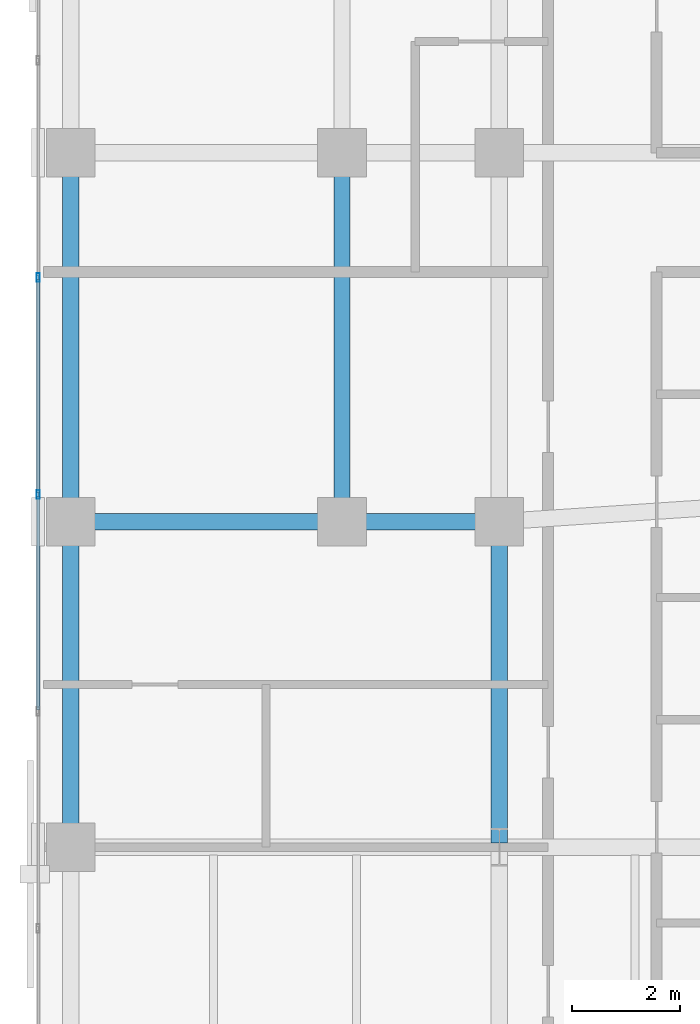
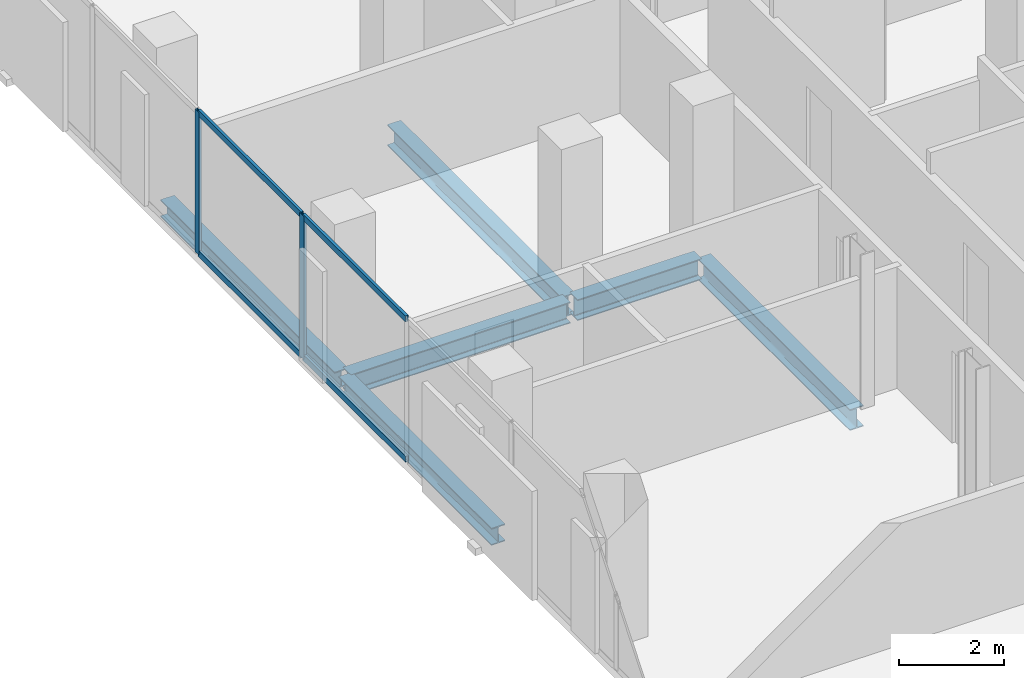
# One storey, part 9 of 35: 6 beams, 6 members, 1 element without a shape of its own.
"""IFC4 building model written with IfcOpenShell, lengths in metres."""

import ifcopenshell
import ifcopenshell.guid

model = None  # the IFC model being written
_history = None  # IfcOwnerHistory: only IFC2X3 demands one
_inside = {}  # id of a spatial element -> (the spatial element, [elements in it])
_under = {}  # id of a project, library or spatial element -> (it, [spatial elements below it])
_declared = {}  # id of a project -> (the project, [libraries it declares])
_typed = {}  # id of a type object -> (the type object, [elements of that type])
_made_of = {}  # id of a material, layer set ... -> (it, [elements and type objects made of it])


def new_model(schema):
    """Start an empty IFC model of exactly this schema.

    Asked for "IFC4X3", IfcOpenShell would pick the latest addendum, in which some entities
    have other attributes; the version numbers below select the first issue.
    IFC2X3 requires an IfcOwnerHistory on every rooted entity: one is made here for all.
    """
    global model, _history
    if schema == "IFC4X3":
        model = ifcopenshell.file(schema_version=(4, 3, 0, 0))
    else:
        model = ifcopenshell.file(schema=schema)
    _inside.clear()
    _under.clear()
    _declared.clear()
    _typed.clear()
    _made_of.clear()
    _history = None
    if model.schema == "IFC2X3":
        org = make("IfcOrganization", Name="unknown")
        user = make(
            "IfcPersonAndOrganization",
            ThePerson=make("IfcPerson", FamilyName="unknown"),
            TheOrganization=org,
        )
        app = make(
            "IfcApplication",
            ApplicationDeveloper=org,
            Version="unknown",
            ApplicationFullName="unknown",
            ApplicationIdentifier="unknown",
        )
        _history = make(
            "IfcOwnerHistory",
            OwningUser=user,
            OwningApplication=app,
            ChangeAction="ADDED",
            CreationDate=0,
        )
    return model


def make(cls, **values):
    """One entity of the class cls with the attributes given. An attribute that is None is left unset."""
    return model.create_entity(
        cls, **{name: value for name, value in values.items() if value is not None}
    )


def rooted(cls, **values):
    """An entity with a GlobalId (a new one), such as an element, a storey or a relation."""
    return make(cls, GlobalId=ifcopenshell.guid.new(), OwnerHistory=_history, **values)


def si_unit(unit_type, name, prefix=None):
    """IfcSIUnit, for example si_unit("LENGTHUNIT", "METRE", prefix="MILLI")."""
    return make("IfcSIUnit", UnitType=unit_type, Prefix=prefix, Name=name)


def assignment(units):
    """IfcUnitAssignment: the units of a project."""
    return None if units is None else make("IfcUnitAssignment", Units=units)


def point(xyz):
    """IfcCartesianPoint."""
    return None if xyz is None else make("IfcCartesianPoint", Coordinates=xyz)


def direction(xyz):
    """IfcDirection."""
    return None if xyz is None else make("IfcDirection", DirectionRatios=xyz)


def frame(location, z_axis=None, x_axis=None):
    """IfcAxis2Placement3D, a coordinate frame: its origin and axes. An axis left out is left unset."""
    return make(
        "IfcAxis2Placement3D",
        Location=point(location),
        Axis=direction(z_axis),
        RefDirection=direction(x_axis),
    )


def frame_2d(location, x_axis=None):
    """IfcAxis2Placement2D, a coordinate frame in the plane: its origin and x axis."""
    return make(
        "IfcAxis2Placement2D", Location=point(location), RefDirection=direction(x_axis)
    )


def origin():
    """The frame at (0, 0, 0) with its axes left unset."""
    return frame((0.0, 0.0, 0.0))


def origin_2d():
    """The frame at (0, 0) in the plane with its x axis left unset."""
    return frame_2d((0.0, 0.0))


def place(relative_to, where):
    """IfcLocalPlacement: puts the frame where relative to a parent placement (None: the world)."""
    return make(
        "IfcLocalPlacement", PlacementRelTo=relative_to, RelativePlacement=where
    )


def context(
    kind, dimensions, precision=None, world=None, true_north=None, identifier=None
):
    """IfcGeometricRepresentationContext, for example the 3D "Model" context."""
    return make(
        "IfcGeometricRepresentationContext",
        ContextIdentifier=identifier,
        ContextType=kind,
        CoordinateSpaceDimension=dimensions,
        Precision=precision,
        WorldCoordinateSystem=world,
        TrueNorth=true_north,
    )


def subcontext(parent, identifier, kind, view, scale=None):
    """IfcGeometricRepresentationSubContext, for example "Body" below "Model"."""
    return make(
        "IfcGeometricRepresentationSubContext",
        ContextIdentifier=identifier,
        ContextType=kind,
        ParentContext=parent,
        TargetScale=scale,
        TargetView=view,
    )


def project(units=None, contexts=None):
    """IfcProject with its units and contexts."""
    return rooted(
        "IfcProject",
        Name="project",
        RepresentationContexts=contexts,
        UnitsInContext=assignment(units),
    )


def spatial(cls, under=None, at=None, **own):
    """A site, building, storey or space (cls), placed at a placement, below another one or the project."""
    s = rooted(cls, ObjectPlacement=at, **own)
    if under is not None:
        _under.setdefault(under.id(), (under, []))[1].append(s)
    return s


def profile(cls, at=None, kind="AREA", **sizes):
    """A parametric profile (cls). Its sizes go by their IFC names, for example OverallWidth=200.0."""
    return make(cls, ProfileType=kind, Position=at, **sizes)


def hollow_rectangle(**sizes):
    """IfcRectangleHollowProfileDef."""
    return profile("IfcRectangleHollowProfileDef", **sizes)


def i_section(**sizes):
    """IfcIShapeProfileDef."""
    return profile("IfcIShapeProfileDef", **sizes)


def extrude(swept, where, along, depth):
    """IfcExtrudedAreaSolid: the profile swept, set in the frame where, extruded along a direction by depth."""
    return make(
        "IfcExtrudedAreaSolid",
        SweptArea=swept,
        Position=where,
        ExtrudedDirection=direction(along),
        Depth=depth,
    )


def shape(context_of_items, identifier, shape_type, items):
    """IfcShapeRepresentation: the items that make up one representation, for example the "Body"."""
    return make(
        "IfcShapeRepresentation",
        ContextOfItems=context_of_items,
        RepresentationIdentifier=identifier,
        RepresentationType=shape_type,
        Items=items,
    )


def material(Name=None, Category=None):
    """IfcMaterial."""
    return make("IfcMaterial", Name=Name, Category=Category)


def layer(
    of_material, thickness, ventilated=None, Name=None, Category=None, Priority=None
):
    """IfcMaterialLayer: one layer of a wall or slab, of a material (None: an air gap)."""
    return make(
        "IfcMaterialLayer",
        Material=of_material,
        LayerThickness=thickness,
        IsVentilated=ventilated,
        Name=Name,
        Category=Category,
        Priority=Priority,
    )


def layer_set(layers, Name=None):
    """IfcMaterialLayerSet."""
    return make("IfcMaterialLayerSet", MaterialLayers=layers, LayerSetName=Name)


def material_profile(
    of_material, cross_section, Name=None, Category=None, Priority=None
):
    """IfcMaterialProfile: a cross section and its material."""
    return make(
        "IfcMaterialProfile",
        Name=Name,
        Material=of_material,
        Profile=cross_section,
        Priority=Priority,
        Category=Category,
    )


def profile_set(profiles, Name=None, composite=None):
    """IfcMaterialProfileSet."""
    return make(
        "IfcMaterialProfileSet",
        Name=Name,
        MaterialProfiles=profiles,
        CompositeProfile=composite,
    )


def made_of(thing, what):
    """Note that an element or type object is made of a material, layer set ...; save() writes the relation."""
    if what is not None:
        _made_of.setdefault(what.id(), (what, []))[1].append(thing)
    return thing


def type_object(cls, material=None, **own):
    """A type object (cls), such as IfcWallType, which elements share."""
    return made_of(rooted(cls, **own), material)


def element(
    cls,
    number,
    at=None,
    inside=None,
    cuts=None,
    type_object=None,
    material=None,
    context=None,
    identifier="Body",
    shape_type=None,
    held_by="IfcProductDefinitionShape",
    body=None,
    shapes=None,
    **own,
):
    """One element of the class cls, such as IfcWall. Its Tag is "e" and its number.

    at: its placement. inside: the storey or other place that contains it. cuts: it is an
    opening in that element (IfcRelVoidsElement). A single representation is given by context,
    identifier, shape_type and body (its items); several are given by shapes. held_by: the class
    of the entity that holds the representations. save() writes the other relations.
    """
    e = rooted(cls, Tag="e%d" % number, ObjectPlacement=at, **own)
    if body is not None:
        shapes = [shape(context, identifier, shape_type, body)]
    if shapes is not None:
        e.Representation = make(held_by, Representations=shapes)
    if inside is not None:
        _inside.setdefault(inside.id(), (inside, []))[1].append(e)
    if cuts is not None:
        rooted(
            "IfcRelVoidsElement", RelatingBuildingElement=cuts, RelatedOpeningElement=e
        )
    if type_object is not None:
        _typed.setdefault(type_object.id(), (type_object, []))[1].append(e)
    return made_of(e, material)


def aggregate(whole, parts):
    """IfcRelAggregates: a whole, such as a stair, and the parts it consists of."""
    return rooted("IfcRelAggregates", RelatingObject=whole, RelatedObjects=parts)


def save(model, path):
    """Write the relations noted so far, then the file.

    IfcRelAggregates (storeys below a building ...), IfcRelContainedInSpatialStructure (elements
    in a storey), IfcRelDefinesByType, IfcRelAssociatesMaterial and IfcRelDeclares: one each for
    every whole, place, type object, material and project.
    """
    for whole, parts in _under.values():
        aggregate(whole, parts)
    for where, things in _inside.values():
        rooted(
            "IfcRelContainedInSpatialStructure",
            RelatedElements=things,
            RelatingStructure=where,
        )
    for kind, things in _typed.values():
        rooted("IfcRelDefinesByType", RelatedObjects=things, RelatingType=kind)
    for what, things in _made_of.values():
        rooted("IfcRelAssociatesMaterial", RelatedObjects=things, RelatingMaterial=what)
    for by, libraries in _declared.values():
        rooted("IfcRelDeclares", RelatingContext=by, RelatedDefinitions=libraries)
    model.write(path)


model = new_model("IFC4")

# Units and contexts
model_context = context("Model", 3, precision=1e-05, world=origin(), true_north=direction((0.0, 1.0)))
body_context = subcontext(model_context, "Body", "Model", "MODEL_VIEW")
ifc_project = project(units=[si_unit("LENGTHUNIT", "METRE"), si_unit("AREAUNIT", "SQUARE_METRE"), si_unit("VOLUMEUNIT", "CUBIC_METRE"), si_unit("PLANEANGLEUNIT", "RADIAN"), si_unit("MASSUNIT", "GRAM", prefix="KILO")], contexts=[model_context])

# Site, building, storey
site_placement = place(None, origin())
site = spatial("IfcSite", under=ifc_project, at=site_placement, CompositionType="ELEMENT")
building_placement = place(site_placement, origin())
building = spatial("IfcBuilding", under=site, at=building_placement, Name="Catumbela Crestline Tower", CompositionType="ELEMENT")
storey_placement = place(building_placement, frame((0.0, 0.0, 90.0)))
storey = spatial("IfcBuildingStorey", under=building, at=storey_placement, Name="L22", CompositionType="ELEMENT", Elevation=90.0)

# Beams
ifc_material_1 = material(Name="Structural steel S355J2", Category="steel")
ifc_material_profile_1 = material_profile(ifc_material_1, i_section(OverallWidth=0.3, OverallDepth=0.49, WebThickness=0.012, FlangeThickness=0.023, FilletRadius=0.027, at=origin_2d()), Name="HEA 500")
ifc_profile_set_1 = profile_set([ifc_material_profile_1], Name="Structural steel S355J2")
beam_type_1 = type_object("IfcBeamType", Name="BG-HEA500", PredefinedType="BEAM", material=ifc_profile_set_1)
beam_1_placement = place(storey_placement, frame((0.68, 24.0, -0.505), z_axis=(1.0, 0.0, 0.0), x_axis=(0.0, 1.0, 0.0)))
element("IfcBeam", 1, at=beam_1_placement, inside=storey, type_object=beam_type_1, Name="L22 Beam BM-L22-S01", PredefinedType="BEAM", context=body_context, shape_type="SweptSolid", body=[
    extrude(i_section(OverallWidth=0.3, OverallDepth=0.49, WebThickness=0.012, FlangeThickness=0.023, FilletRadius=0.027, at=origin_2d()), origin(), (0.0, 0.0, 1.0), 4.84),
])
beam_2_placement = place(storey_placement, frame((5.68, 24.0, -0.505), z_axis=(1.0, 0.0, 0.0), x_axis=(0.0, 1.0, 0.0)))
element("IfcBeam", 2, at=beam_2_placement, inside=storey, type_object=beam_type_1, Name="L22 Beam BM-L22-S02", PredefinedType="BEAM", context=body_context, shape_type="SweptSolid", body=[
    extrude(i_section(OverallWidth=0.3, OverallDepth=0.49, WebThickness=0.012, FlangeThickness=0.023, FilletRadius=0.027, at=origin_2d()), origin(), (0.0, 0.0, 1.0), 2.74),
])
beam_3_placement = place(storey_placement, frame((5.6, 24.08, -0.505), z_axis=(0.0, 1.0, 0.0), x_axis=(-1.0, 0.0, 0.0)))
element("IfcBeam", 3, at=beam_3_placement, inside=storey, type_object=beam_type_1, Name="L22 Beam BM-L22-SN24", PredefinedType="BEAM", context=body_context, shape_type="SweptSolid", body=[
    extrude(i_section(OverallWidth=0.3, OverallDepth=0.49, WebThickness=0.012, FlangeThickness=0.023, FilletRadius=0.027, at=origin_2d()), origin(), (0.0, 0.0, 1.0), 6.64),
])
beam_4_placement = place(storey_placement, frame((8.5, 18.08, -0.505), z_axis=(0.0, 1.0, 0.0), x_axis=(-1.0, 0.0, 0.0)))
element("IfcBeam", 4, at=beam_4_placement, inside=storey, type_object=beam_type_1, Name="L22 Beam BM-L22-WNS57", PredefinedType="BEAM", context=body_context, shape_type="SweptSolid", body=[
    extrude(i_section(OverallWidth=0.3, OverallDepth=0.49, WebThickness=0.012, FlangeThickness=0.023, FilletRadius=0.027, at=origin_2d()), origin(), (0.0, 0.0, 1.0), 5.84),
])

# Curtain wall, members
ifc_material_2 = material(Name="Aluminium alloy AW-6060-T66", Category="aluminium")
ifc_layer = layer(ifc_material_2, 0.18, Name="Aluminium alloy AW-6060-T66")
ifc_layer_set = layer_set([ifc_layer], Name="Aluminium alloy AW-6060-T66")
curtain_wall_type = type_object("IfcCurtainWallType", Name="CWU-Z2", PredefinedType="USERDEFINED", material=ifc_layer_set)
curtain_wall_placement = place(storey_placement, origin())
curtain_wall = element("IfcCurtainWall", 5, at=curtain_wall_placement, inside=storey, type_object=curtain_wall_type, Name="L22 Unitised Curtain Wall CW-L22-E9S1", ObjectType="UNITISED", PredefinedType="USERDEFINED")
ifc_material_profile_2 = material_profile(ifc_material_2, hollow_rectangle(XDim=0.06, YDim=0.16, WallThickness=0.004, at=origin_2d()), Name="ALU 160x60x4")
ifc_profile_set_2 = profile_set([ifc_material_profile_2], Name="Aluminium alloy AW-6060-T66")
member_type_1 = type_object("IfcMemberType", Name="MUL-160X60", PredefinedType="MULLION", material=ifc_profile_set_2)
member_1_placement = place(storey_placement, frame((0.0, 28.5, 0.0), z_axis=(0.0, 0.0, 1.0), x_axis=(1.0, 0.0, 0.0)))
member_1 = element("IfcMember", 6, at=member_1_placement, type_object=member_type_1, Name="CWU-Z2 mullion 5", PredefinedType="MULLION", context=body_context, shape_type="SweptSolid", body=[
    extrude(hollow_rectangle(XDim=0.06, YDim=0.16, WallThickness=0.004, at=origin_2d()), origin(), (0.0, 0.0, 1.0), 3.33),
])
member_2_placement = place(storey_placement, frame((0.0, 24.5, 0.0), z_axis=(0.0, 0.0, 1.0), x_axis=(1.0, 0.0, 0.0)))
member_2 = element("IfcMember", 7, at=member_2_placement, type_object=member_type_1, Name="CWU-Z2 mullion 6", PredefinedType="MULLION", context=body_context, shape_type="SweptSolid", body=[
    extrude(hollow_rectangle(XDim=0.06, YDim=0.16, WallThickness=0.004, at=origin_2d()), origin(), (0.0, 0.0, 1.0), 3.33),
])

# Beams
ifc_material_profile_3 = material_profile(ifc_material_1, i_section(OverallWidth=0.3, OverallDepth=0.4, WebThickness=0.0135, FlangeThickness=0.024, FilletRadius=0.027, at=origin_2d()), Name="HEB 400")
ifc_profile_set_3 = profile_set([ifc_material_profile_3], Name="Structural steel S355J2")
beam_type_2 = type_object("IfcBeamType", Name="BS-HEB400", PredefinedType="SPANDREL", material=ifc_profile_set_3)
beam_5_placement = place(storey_placement, frame((0.6, 24.08, -0.46), z_axis=(0.0, 1.0, 0.0), x_axis=(-1.0, 0.0, 0.0)))
element("IfcBeam", 8, at=beam_5_placement, inside=storey, type_object=beam_type_2, Name="L22 Spandrel SP-L22-SN22", PredefinedType="SPANDREL", context=body_context, shape_type="SweptSolid", body=[
    extrude(i_section(OverallWidth=0.3, OverallDepth=0.4, WebThickness=0.0135, FlangeThickness=0.024, FilletRadius=0.027, at=origin_2d()), origin(), (0.0, 0.0, 1.0), 6.64),
])
beam_6_placement = place(storey_placement, frame((0.6, 18.08, -0.46), z_axis=(0.0, 1.0, 0.0), x_axis=(-1.0, 0.0, 0.0)))
element("IfcBeam", 9, at=beam_6_placement, inside=storey, type_object=beam_type_2, Name="L22 Spandrel SP-L22-WNS54", PredefinedType="SPANDREL", context=body_context, shape_type="SweptSolid", body=[
    extrude(i_section(OverallWidth=0.3, OverallDepth=0.4, WebThickness=0.0135, FlangeThickness=0.024, FilletRadius=0.027, at=origin_2d()), origin(), (0.0, 0.0, 1.0), 5.84),
])

# Member
ifc_material_profile_4 = material_profile(ifc_material_2, hollow_rectangle(XDim=0.06, YDim=0.14, WallThickness=0.004, at=origin_2d()), Name="ALU 140x60x4")
ifc_profile_set_4 = profile_set([ifc_material_profile_4], Name="Aluminium alloy AW-6060-T66")
member_type_2 = type_object("IfcMemberType", Name="TRN-140X60", PredefinedType="USERDEFINED", material=ifc_profile_set_4)
member_3_placement = place(storey_placement, frame((0.0, 28.4675, 0.03), z_axis=(0.0, -1.0, 0.0), x_axis=(1.0, 0.0, 0.0)))
member_3 = element("IfcMember", 10, at=member_3_placement, type_object=member_type_2, Name="CWU-Z2 transom 5.1", ObjectType="TRANSOM", PredefinedType="USERDEFINED", context=body_context, shape_type="SweptSolid", body=[
    extrude(hollow_rectangle(XDim=0.06, YDim=0.14, WallThickness=0.004, at=origin_2d()), origin(), (0.0, 0.0, 1.0), 3.935),
])

member_4_placement = place(storey_placement, frame((0.0, 28.4675, 3.3), z_axis=(0.0, -1.0, 0.0), x_axis=(1.0, 0.0, 0.0)))
member_4 = element("IfcMember", 11, at=member_4_placement, type_object=member_type_2, Name="CWU-Z2 transom 5.2", ObjectType="TRANSOM", PredefinedType="USERDEFINED", context=body_context, shape_type="SweptSolid", body=[
    extrude(hollow_rectangle(XDim=0.06, YDim=0.14, WallThickness=0.004, at=origin_2d()), origin(), (0.0, 0.0, 1.0), 3.935),
])

member_5_placement = place(storey_placement, frame((0.0, 24.4675, 0.03), z_axis=(0.0, -1.0, 0.0), x_axis=(1.0, 0.0, 0.0)))
member_5 = element("IfcMember", 12, at=member_5_placement, type_object=member_type_2, Name="CWU-Z2 transom 6.1", ObjectType="TRANSOM", PredefinedType="USERDEFINED", context=body_context, shape_type="SweptSolid", body=[
    extrude(hollow_rectangle(XDim=0.06, YDim=0.14, WallThickness=0.004, at=origin_2d()), origin(), (0.0, 0.0, 1.0), 3.935),
])

member_6_placement = place(storey_placement, frame((0.0, 24.4675, 3.3), z_axis=(0.0, -1.0, 0.0), x_axis=(1.0, 0.0, 0.0)))
member_6 = element("IfcMember", 13, at=member_6_placement, type_object=member_type_2, Name="CWU-Z2 transom 6.2", ObjectType="TRANSOM", PredefinedType="USERDEFINED", context=body_context, shape_type="SweptSolid", body=[
    extrude(hollow_rectangle(XDim=0.06, YDim=0.14, WallThickness=0.004, at=origin_2d()), origin(), (0.0, 0.0, 1.0), 3.935),
])

aggregate(curtain_wall, [member_1, member_2, member_3, member_4, member_5, member_6])

save(model, "model.ifc")
